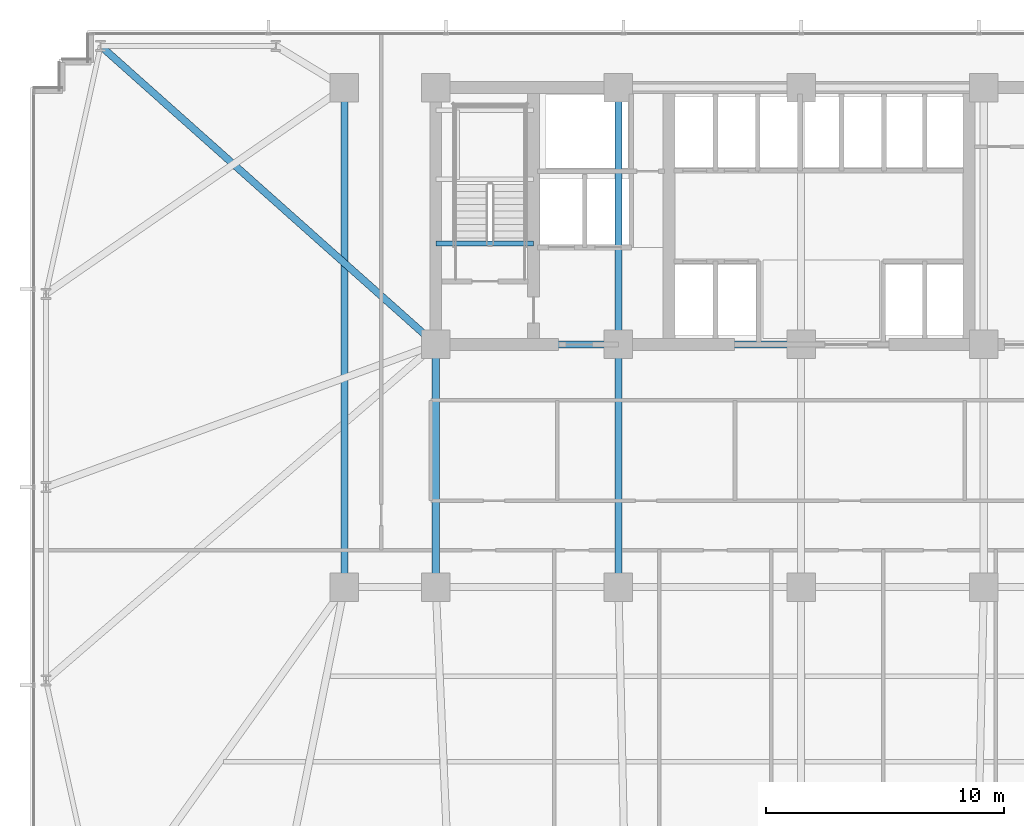
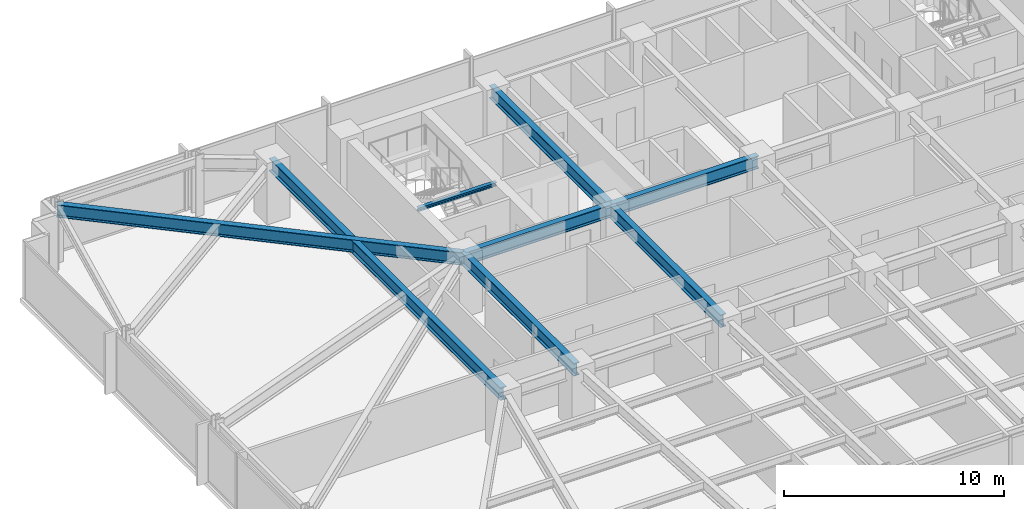
# One storey, part 10 of 33: 8 beams.
"""IFC4 building model written with IfcOpenShell, lengths in metres."""

from ifc_helpers import new_model, si_unit, direction, frame, origin, origin_2d, place, context, subcontext, project, spatial, i_section, extrude, material, material_profile, profile_set, type_object, element, save


model = new_model("IFC4")

# Units and contexts
model_context = context("Model", 3, precision=1e-05, world=origin(), true_north=direction((0.0, 1.0)))
body_context = subcontext(model_context, "Body", "Model", "MODEL_VIEW")
ifc_project = project(units=[si_unit("LENGTHUNIT", "METRE"), si_unit("AREAUNIT", "SQUARE_METRE"), si_unit("VOLUMEUNIT", "CUBIC_METRE"), si_unit("PLANEANGLEUNIT", "RADIAN"), si_unit("MASSUNIT", "GRAM", prefix="KILO")], contexts=[model_context])

# Site, building, storey
site_placement = place(None, origin())
site = spatial("IfcSite", under=ifc_project, at=site_placement, CompositionType="ELEMENT")
building_placement = place(site_placement, origin())
building = spatial("IfcBuilding", under=site, at=building_placement, Name="Yelkora Congress Tower", CompositionType="ELEMENT")
storey_placement = place(building_placement, frame((0.0, 0.0, 54.199951171875)))
storey = spatial("IfcBuildingStorey", under=building, at=storey_placement, Name="L13", CompositionType="ELEMENT", Elevation=54.199951171875)

# Beams
ifc_material = material(Name="Steel S355J2", Category="steel")
ifc_material_profile_1 = material_profile(ifc_material, i_section(OverallWidth=0.300048828125, OverallDepth=0.699951171875, WebThickness=0.01708984375, FlangeThickness=0.031982421875, FilletRadius=0.027099609375, at=origin_2d()), Name="HEB 700")
ifc_profile_set_1 = profile_set([ifc_material_profile_1], Name="Steel S355J2")
beam_type_1 = type_object("IfcBeamType", Name="BM-GIRD-HEB700", PredefinedType="BEAM", material=ifc_profile_set_1)
for number, where, z_axis, x_axis, name in (
    (1, (23.0400390625, 35.39990234375, 2.830078125), (1.0, 0.0, 0.0), (0.0, 1.0, 0.0), "L13 Core South Girder 1"),
    (2, (30.719970703125, 35.39990234375, 2.830078125), (1.0, 0.0, 0.0), (0.0, 1.0, 0.0), "L13 Core South Girder 2"),
):
    element("IfcBeam", number, at=place(storey_placement, frame(where, z_axis=z_axis, x_axis=x_axis)), inside=storey, type_object=beam_type_1, Name=name, PredefinedType="BEAM", context=body_context, shape_type="SweptSolid", body=[
        extrude(i_section(OverallWidth=0.300048828125, OverallDepth=0.699951171875, WebThickness=0.01708984375, FlangeThickness=0.031982421875, FilletRadius=0.027099609375, at=origin_2d()), origin(), (0.0, 0.0, 1.0), 7.679931640625),
    ])
for number, where, z_axis, x_axis, name in (
    (3, (23.0400390625, 25.199951171875, 2.830078125), (0.0, 1.0, 0.0), (-1.0, 0.0, 0.0), "L13 Core Tie Girder MC-D1"),
    (4, (30.719970703125, 25.199951171875, 2.830078125), (0.0, 1.0, 0.0), (-1.0, 0.0, 0.0), "L13 Core Tie Girder MC-D2"),
):
    element("IfcBeam", number, at=place(storey_placement, frame(where, z_axis=z_axis, x_axis=x_axis)), inside=storey, type_object=beam_type_1, Name=name, PredefinedType="BEAM", context=body_context, shape_type="SweptSolid", body=[
        extrude(i_section(OverallWidth=0.300048828125, OverallDepth=0.699951171875, WebThickness=0.01708984375, FlangeThickness=0.031982421875, FilletRadius=0.027099609375, at=origin_2d()), origin(), (0.0, 0.0, 1.0), 10.199951171875),
    ])
beam_1_placement = place(storey_placement, frame((30.719970703125, 35.39990234375, 2.830078125), z_axis=(0.0, 1.0, 0.0), x_axis=(-1.0, 0.0, 0.0)))
element("IfcBeam", 5, at=beam_1_placement, inside=storey, type_object=beam_type_1, Name="L13 Core Tie Girder MC-S2", PredefinedType="BEAM", context=body_context, shape_type="SweptSolid", body=[
    extrude(i_section(OverallWidth=0.300048828125, OverallDepth=0.699951171875, WebThickness=0.01708984375, FlangeThickness=0.031982421875, FilletRadius=0.027099609375, at=origin_2d()), origin(), (0.0, 0.0, 1.0), 10.800048828125),
])
beam_2_placement = place(storey_placement, frame((19.199951171875, 25.199951171875, 2.830078125), z_axis=(0.0, 1.0, 0.0), x_axis=(-1.0, 0.0, 0.0)))
element("IfcBeam", 6, at=beam_2_placement, inside=storey, type_object=beam_type_1, Name="L13 Neck Flank Girder MC-F1", PredefinedType="BEAM", context=body_context, shape_type="SweptSolid", body=[
    extrude(i_section(OverallWidth=0.300048828125, OverallDepth=0.699951171875, WebThickness=0.01708984375, FlangeThickness=0.031982421875, FilletRadius=0.027099609375, at=origin_2d()), origin(), (0.0, 0.0, 1.0), 21.0),
])
beam_3_placement = place(storey_placement, frame((8.949951171875, 47.949951171875, 2.830078125), z_axis=(0.746737189621, -0.665119214605, 0.0), x_axis=(0.665119214605, 0.746737189621, 0.0)))
element("IfcBeam", 7, at=beam_3_placement, inside=storey, type_object=beam_type_1, Name="L13 Primary Frame Girder N01", PredefinedType="BEAM", context=body_context, shape_type="SweptSolid", body=[
    extrude(i_section(OverallWidth=0.300048828125, OverallDepth=0.699951171875, WebThickness=0.01708984375, FlangeThickness=0.031982421875, FilletRadius=0.027099609375, at=origin_2d()), origin(), (0.0, 0.0, 1.0), 18.868896484375),
])
ifc_material_profile_2 = material_profile(ifc_material, i_section(OverallWidth=0.199951171875, OverallDepth=0.18994140625, WebThickness=0.006591796875, FlangeThickness=0.010009765625, FilletRadius=0.01806640625, at=origin_2d()), Name="HEA 200")
ifc_profile_set_2 = profile_set([ifc_material_profile_2], Name="Steel S355J2")
beam_type_2 = type_object("IfcBeamType", Name="BM-LAND-HEA200", PredefinedType="BEAM", material=ifc_profile_set_2)
beam_4_placement = place(storey_placement, frame((23.0400390625, 39.639892578125, 2.947509765625), z_axis=(1.0, 0.0, 0.0), x_axis=(0.0, 1.0, 0.0)))
element("IfcBeam", 8, at=beam_4_placement, inside=storey, type_object=beam_type_2, Name="ST-01 L13 Floor Arrival Stringer Header Beam", PredefinedType="BEAM", context=body_context, shape_type="SweptSolid", body=[
    extrude(i_section(OverallWidth=0.199951171875, OverallDepth=0.18994140625, WebThickness=0.006591796875, FlangeThickness=0.010009765625, FilletRadius=0.01806640625, at=origin_2d()), origin(), (0.0, 0.0, 1.0), 4.10986328125),
])

save(model, "model.ifc")
